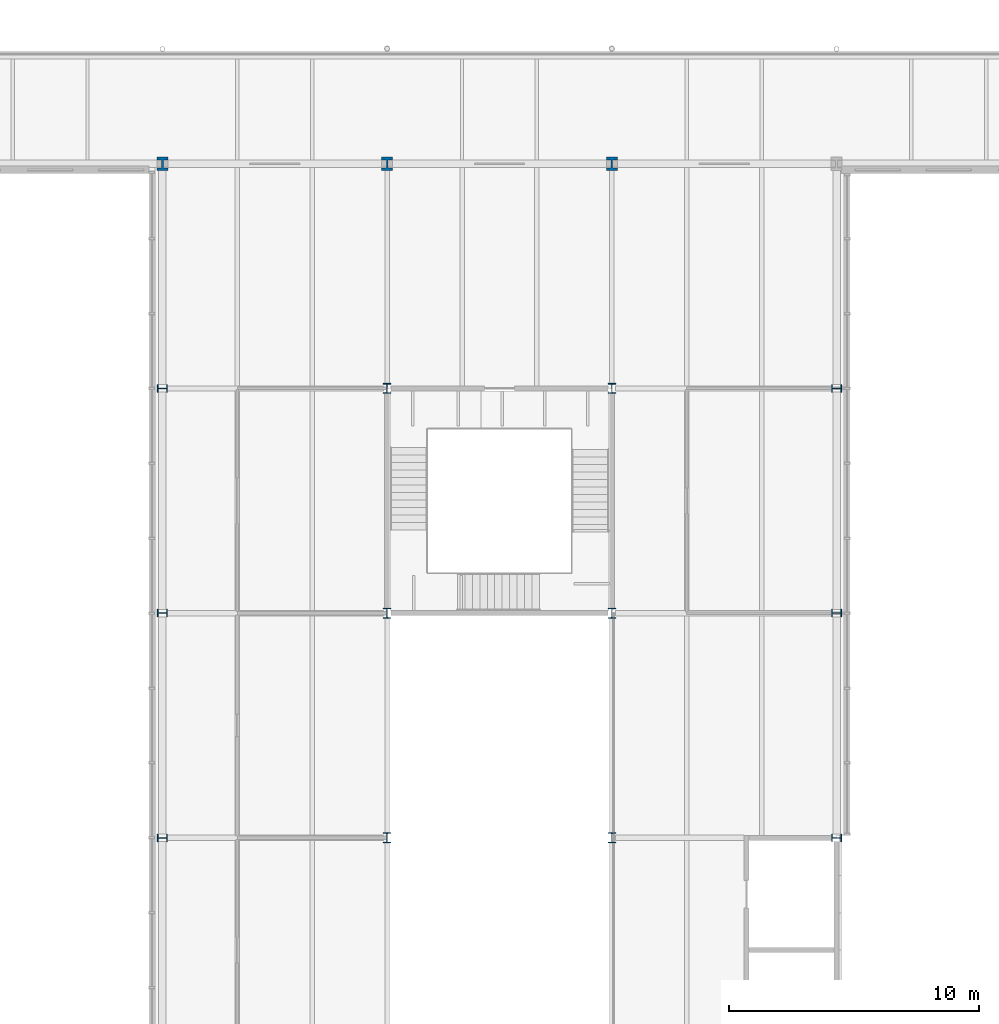
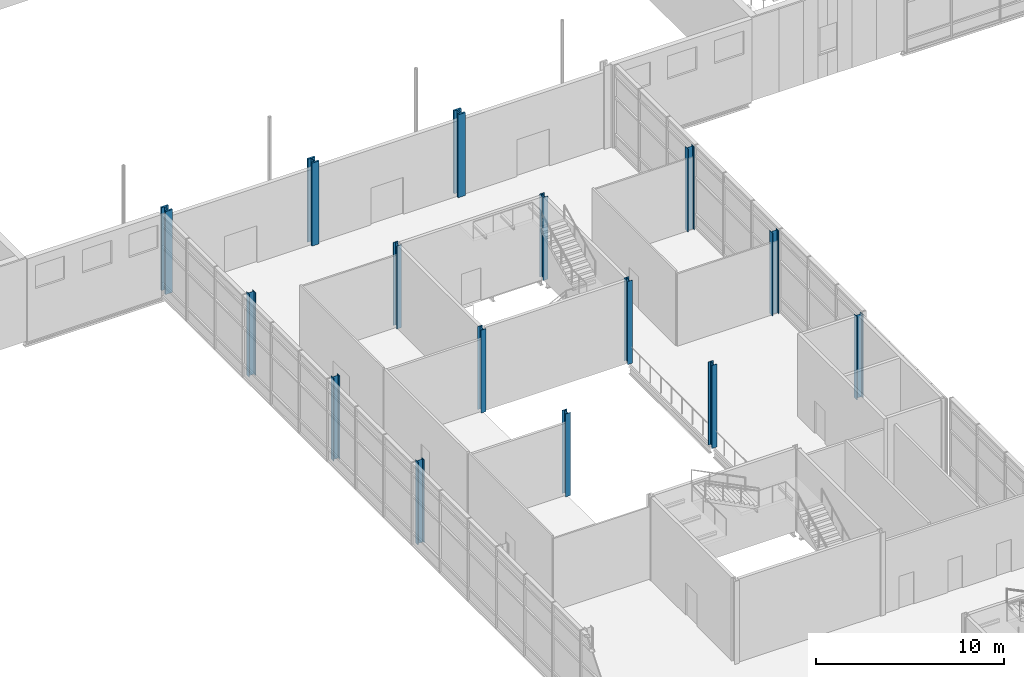
# One storey, part 4 of 56: 15 columns.
"""IFC4 building model written with IfcOpenShell, lengths in metres."""

from ifc_helpers import new_model, si_unit, direction, frame, origin, origin_2d, place, context, subcontext, project, spatial, i_section, extrude, material, material_profile, profile_set, type_object, element, save


model = new_model("IFC4")

# Units and contexts
model_context = context("Model", 3, precision=1e-05, world=origin(), true_north=direction((0.0, 1.0)))
body_context = subcontext(model_context, "Body", "Model", "MODEL_VIEW")
ifc_project = project(units=[si_unit("LENGTHUNIT", "METRE"), si_unit("AREAUNIT", "SQUARE_METRE"), si_unit("VOLUMEUNIT", "CUBIC_METRE"), si_unit("PLANEANGLEUNIT", "RADIAN"), si_unit("MASSUNIT", "GRAM", prefix="KILO")], contexts=[model_context])

# Site, building, storey
site_placement = place(None, origin())
site = spatial("IfcSite", under=ifc_project, at=site_placement, CompositionType="ELEMENT")
building_placement = place(site_placement, origin())
building = spatial("IfcBuilding", under=site, at=building_placement, Name="Azimuth Sports and Learning Centre", CompositionType="ELEMENT")
storey_placement = place(building_placement, frame((0.0, 0.0, 5.39990234375)))
storey = spatial("IfcBuildingStorey", under=building, at=storey_placement, Name="L01", CompositionType="ELEMENT", Elevation=5.39990234375)

# Columns
ifc_material_1 = material(Name="Steel S460", Category="steel")
ifc_material_profile_1 = material_profile(ifc_material_1, i_section(OverallWidth=0.44189453125, OverallDepth=0.531005859375, WebThickness=0.06591796875, FlangeThickness=0.10595703125, FilletRadius=0.014892578125, at=origin_2d()), Name="HD 400x900")
ifc_profile_set_1 = profile_set([ifc_material_profile_1], Name="Steel S460")
column_type_1 = type_object("IfcColumnType", Name="Column HD 400x900", PredefinedType="COLUMN", material=ifc_profile_set_1)
for number, where, z_axis, x_axis, name in (
    (1, (72.0, 90.0, 0.0), (0.0, 0.0, 1.0), (1.0, 0.0, 0.0), "Column 9L L01"),
    (2, (81.0, 90.0, 0.0), (0.0, 0.0, 1.0), (1.0, 0.0, 0.0), "Column 10L L01"),
    (3, (90.0, 90.0, 0.0), (0.0, 0.0, 1.0), (1.0, 0.0, 0.0), "Column 11L L01"),
):
    element("IfcColumn", number, at=place(storey_placement, frame(where, z_axis=z_axis, x_axis=x_axis)), inside=storey, type_object=column_type_1, Name=name, PredefinedType="COLUMN", context=body_context, shape_type="SweptSolid", body=[
        extrude(i_section(OverallWidth=0.44189453125, OverallDepth=0.531005859375, WebThickness=0.06591796875, FlangeThickness=0.10595703125, FilletRadius=0.014892578125, at=origin_2d()), origin(), (0.0, 0.0, 1.0), 5.400146484375),
    ])
ifc_material_2 = material(Name="Steel S355", Category="steel")
ifc_material_profile_2 = material_profile(ifc_material_2, i_section(OverallWidth=0.300048828125, OverallDepth=0.39990234375, WebThickness=0.013427734375, FlangeThickness=0.02392578125, FilletRadius=0.027099609375, at=origin_2d()), Name="HEB 400")
ifc_profile_set_2 = profile_set([ifc_material_profile_2], Name="Steel S355")
column_type_2 = type_object("IfcColumnType", Name="Column HEB 400", PredefinedType="COLUMN", material=ifc_profile_set_2)
for number, where, z_axis, x_axis, name in (
    (4, (72.0, 63.0, 0.0), (0.0, 0.0, 1.0), (0.0, 1.0, 0.0), "Column 9H L01"),
    (5, (81.0, 63.0, 0.0), (0.0, 0.0, 1.0), (1.0, 0.0, 0.0), "Column 10H L01"),
    (6, (90.0, 63.0, 0.0), (0.0, 0.0, 1.0), (1.0, 0.0, 0.0), "Column 11H L01"),
    (7, (99.0, 63.0, 0.0), (0.0, 0.0, 1.0), (0.0, 1.0, 0.0), "Column 12H L01"),
    (8, (72.0, 72.0, 0.0), (0.0, 0.0, 1.0), (0.0, 1.0, 0.0), "Column 9J L01"),
    (9, (81.0, 72.0, 0.0), (0.0, 0.0, 1.0), (1.0, 0.0, 0.0), "Column 10J L01"),
    (10, (90.0, 72.0, 0.0), (0.0, 0.0, 1.0), (1.0, 0.0, 0.0), "Column 11J L01"),
    (11, (99.0, 72.0, 0.0), (0.0, 0.0, 1.0), (0.0, 1.0, 0.0), "Column 12J L01"),
    (12, (72.0, 81.0, 0.0), (0.0, 0.0, 1.0), (0.0, 1.0, 0.0), "Column 9K L01"),
    (13, (81.0, 81.0, 0.0), (0.0, 0.0, 1.0), (1.0, 0.0, 0.0), "Column 10K L01"),
    (14, (90.0, 81.0, 0.0), (0.0, 0.0, 1.0), (1.0, 0.0, 0.0), "Column 11K L01"),
    (15, (99.0, 81.0, 0.0), (0.0, 0.0, 1.0), (0.0, 1.0, 0.0), "Column 12K L01"),
):
    element("IfcColumn", number, at=place(storey_placement, frame(where, z_axis=z_axis, x_axis=x_axis)), inside=storey, type_object=column_type_2, Name=name, PredefinedType="COLUMN", context=body_context, shape_type="SweptSolid", body=[
        extrude(i_section(OverallWidth=0.300048828125, OverallDepth=0.39990234375, WebThickness=0.013427734375, FlangeThickness=0.02392578125, FilletRadius=0.027099609375, at=origin_2d()), origin(), (0.0, 0.0, 1.0), 5.400146484375),
    ])

save(model, "model.ifc")
